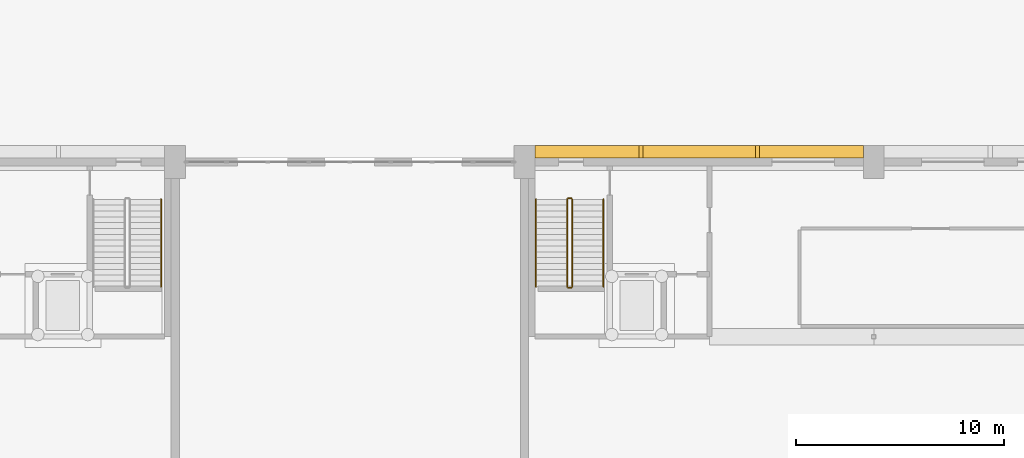
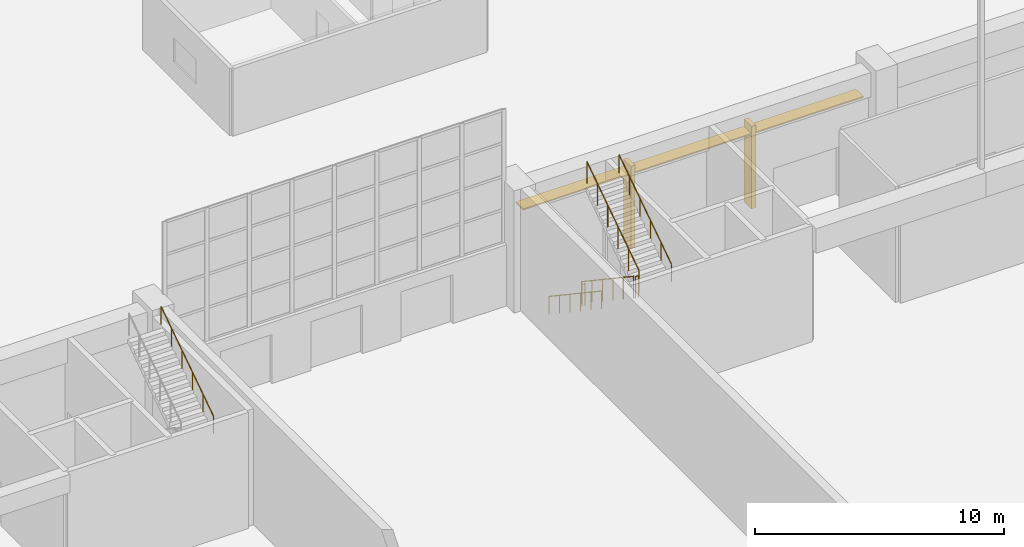
# One storey, part 203 of 210: 7 railings, 3 shading devices, 2 coverings.
"""IFC4 building model written with IfcOpenShell, lengths in metres."""

from ifc_helpers import new_model, si_unit, direction, frame, origin, origin_2d, place, context, subcontext, project, spatial, rectangle, circle, extrude, material, layer, layer_set, type_object, element, save


model = new_model("IFC4")

# Units and contexts
model_context = context("Model", 3, precision=1e-05, world=origin(), true_north=direction((0.0, 1.0)))
body_context = subcontext(model_context, "Body", "Model", "MODEL_VIEW")
ifc_project = project(units=[si_unit("LENGTHUNIT", "METRE"), si_unit("AREAUNIT", "SQUARE_METRE"), si_unit("VOLUMEUNIT", "CUBIC_METRE"), si_unit("PLANEANGLEUNIT", "RADIAN"), si_unit("MASSUNIT", "GRAM", prefix="KILO")], contexts=[model_context])

# Site, building, storey
site_placement = place(None, origin())
site = spatial("IfcSite", under=ifc_project, at=site_placement, CompositionType="ELEMENT")
building_placement = place(site_placement, origin())
building = spatial("IfcBuilding", under=site, at=building_placement, Name="Rain Tree Exposition and Congress Centre", CompositionType="ELEMENT")
storey_placement = place(building_placement, origin())
storey = spatial("IfcBuildingStorey", under=building, at=storey_placement, Name="L00", CompositionType="ELEMENT", Elevation=0.0)

# Coverings
ifc_material_1 = material(Name="Precast concrete C50/60", Category="concrete")
ifc_layer_1 = layer(ifc_material_1, 0.199951171875)
ifc_layer_set_1 = layer_set([ifc_layer_1], Name="Precast concrete C50/60")
covering_type = type_object("IfcCoveringType", Name="North face fin 200x600", PredefinedType="CLADDING", material=ifc_layer_set_1)
for number, where, z_axis, x_axis, name in (
    (1, (148.39990234375, 202.10009765625, 0.4501953125), (0.0, 0.0, 1.0), (1.0, 0.0, 0.0), "Facade fin N1.1"),
    (2, (154.0, 202.10009765625, 0.4501953125), (0.0, 0.0, 1.0), (1.0, 0.0, 0.0), "Facade fin N1.2"),
):
    element("IfcCovering", number, at=place(storey_placement, frame(where, z_axis=z_axis, x_axis=x_axis)), inside=storey, type_object=covering_type, Name=name, PredefinedType="CLADDING", context=body_context, shape_type="SweptSolid", body=[
        extrude(rectangle(XDim=0.199951171875, YDim=0.60009765625, at=origin_2d()), origin(), (0.0, 0.0, 1.0), 4.050048828125),
    ])

# Railings
ifc_material_2 = material(Name="Steel S355J2H", Category="steel")
railing_type_1 = type_object("IfcRailingType", Name="Stair guard 1100", PredefinedType="GUARDRAIL", material=ifc_material_2)
railing_1_placement = place(storey_placement, frame((144.85009765625, 199.800048828125, 0.1875)))
element("IfcRailing", 3, at=railing_1_placement, inside=storey, type_object=railing_type_1, Name="L00 ST-H7 stair guard 1", PredefinedType="GUARDRAIL", context=body_context, shape_type="SweptSolid", body=[
    extrude(circle(Radius=0.02392578125, at=origin_2d()), frame((0.0, 0.0, 1.076171875), z_axis=(0.0, -0.830904186295, 0.556415522067), x_axis=(1.0, 0.0, 0.0)), (0.0, 0.0, 1.0), 5.0546875),
    extrude(circle(Radius=0.02099609375, at=origin_2d()), origin(), (0.0, 0.0, 1.0), 1.052001953125),
    extrude(circle(Radius=0.02099609375, at=origin_2d()), frame((0.0, -0.840087890625, 0.5625)), (0.0, 0.0, 1.0), 1.052001953125),
    extrude(circle(Radius=0.02099609375, at=origin_2d()), frame((0.0, -1.679931640625, 1.125)), (0.0, 0.0, 1.0), 1.052001953125),
    extrude(circle(Radius=0.02099609375, at=origin_2d()), frame((0.0, -2.52001953125, 1.6875)), (0.0, 0.0, 1.0), 1.052001953125),
    extrude(circle(Radius=0.02099609375, at=origin_2d()), frame((0.0, -3.35986328125, 2.25)), (0.0, 0.0, 1.0), 1.052001953125),
    extrude(circle(Radius=0.02099609375, at=origin_2d()), frame((0.0, -4.199951171875, 2.8125)), (0.0, 0.0, 1.0), 1.052001953125),
])
railing_2_placement = place(storey_placement, frame((144.89990234375, 195.550048828125, 3.0)))
element("IfcRailing", 4, at=railing_2_placement, inside=storey, type_object=railing_type_1, Name="L00 ST-H7 stair guard 2", PredefinedType="GUARDRAIL", context=body_context, shape_type="SweptSolid", body=[
    extrude(circle(Radius=0.02392578125, at=origin_2d()), frame((0.0, 0.0, 1.076171875), z_axis=(1.0, 0.0, 0.0), x_axis=(0.0, 1.0, 0.0)), (0.0, 0.0, 1.0), 0.150146484375),
    extrude(circle(Radius=0.02099609375, at=origin_2d()), origin(), (0.0, 0.0, 1.0), 1.052001953125),
    extrude(circle(Radius=0.02099609375, at=origin_2d()), frame((0.150146484375, 0.0, 0.0)), (0.0, 0.0, 1.0), 1.052001953125),
])
railing_3_placement = place(storey_placement, frame((145.10009765625, 195.60009765625, 3.1875)))
element("IfcRailing", 5, at=railing_3_placement, inside=storey, type_object=railing_type_1, Name="L00 ST-H7 stair guard 3", PredefinedType="GUARDRAIL", context=body_context, shape_type="SweptSolid", body=[
    extrude(circle(Radius=0.02392578125, at=origin_2d()), frame((0.0, 0.0, 1.076171875), z_axis=(0.0, 0.830904186295, 0.556415522067), x_axis=(-1.0, 0.0, 0.0)), (0.0, 0.0, 1.0), 5.0546875),
    extrude(circle(Radius=0.02099609375, at=origin_2d()), origin(), (0.0, 0.0, 1.0), 1.052001953125),
    extrude(circle(Radius=0.02099609375, at=origin_2d()), frame((0.0, 0.840087890625, 0.5625)), (0.0, 0.0, 1.0), 1.052001953125),
    extrude(circle(Radius=0.02099609375, at=origin_2d()), frame((0.0, 1.679931640625, 1.125)), (0.0, 0.0, 1.0), 1.052001953125),
    extrude(circle(Radius=0.02099609375, at=origin_2d()), frame((0.0, 2.52001953125, 1.6875)), (0.0, 0.0, 1.0), 1.052001953125),
    extrude(circle(Radius=0.02099609375, at=origin_2d()), frame((0.0, 3.35986328125, 2.25)), (0.0, 0.0, 1.0), 1.052001953125),
    extrude(circle(Radius=0.02099609375, at=origin_2d()), frame((0.0, 4.199951171875, 2.8125)), (0.0, 0.0, 1.0), 1.052001953125),
])
railing_4_placement = place(storey_placement, frame((144.89990234375, 199.85009765625, 0.0)))
element("IfcRailing", 6, at=railing_4_placement, inside=storey, type_object=railing_type_1, Name="L00 ST-H7 stair guard 4", PredefinedType="GUARDRAIL", context=body_context, shape_type="SweptSolid", body=[
    extrude(circle(Radius=0.02392578125, at=origin_2d()), frame((0.0, 0.0, 1.076171875), z_axis=(1.0, 0.0, 0.0), x_axis=(0.0, 1.0, 0.0)), (0.0, 0.0, 1.0), 0.150146484375),
    extrude(circle(Radius=0.02099609375, at=origin_2d()), origin(), (0.0, 0.0, 1.0), 1.052001953125),
    extrude(circle(Radius=0.02099609375, at=origin_2d()), frame((0.150146484375, 0.0, 0.0)), (0.0, 0.0, 1.0), 1.052001953125),
])
ifc_material_3 = material(Name="Steel S355J2H", Category="steel")
railing_type_2 = type_object("IfcRailingType", Name="Stair handrail 900", PredefinedType="HANDRAIL", material=ifc_material_3)
railing_5_placement = place(storey_placement, frame((125.324951171875, 195.60009765625, 3.1875)))
element("IfcRailing", 7, at=railing_5_placement, inside=storey, type_object=railing_type_2, Name="L00 ST-H4 stair handrail 2", PredefinedType="HANDRAIL", context=body_context, shape_type="SweptSolid", body=[
    extrude(circle(Radius=0.02392578125, at=origin_2d()), frame((0.0, 0.0, 0.8759765625), z_axis=(0.0, 0.830904186295, 0.556415522067), x_axis=(-1.0, 0.0, 0.0)), (0.0, 0.0, 1.0), 5.0546875),
    extrude(circle(Radius=0.02099609375, at=origin_2d()), origin(), (0.0, 0.0, 1.0), 0.851806640625),
    extrude(circle(Radius=0.02099609375, at=origin_2d()), frame((0.0, 0.840087890625, 0.5625)), (0.0, 0.0, 1.0), 0.851806640625),
    extrude(circle(Radius=0.02099609375, at=origin_2d()), frame((0.0, 1.679931640625, 1.125)), (0.0, 0.0, 1.0), 0.851806640625),
    extrude(circle(Radius=0.02099609375, at=origin_2d()), frame((0.0, 2.52001953125, 1.6875)), (0.0, 0.0, 1.0), 0.851806640625),
    extrude(circle(Radius=0.02099609375, at=origin_2d()), frame((0.0, 3.35986328125, 2.25)), (0.0, 0.0, 1.0), 0.851806640625),
    extrude(circle(Radius=0.02099609375, at=origin_2d()), frame((0.0, 4.199951171875, 2.8125)), (0.0, 0.0, 1.0), 0.851806640625),
])
railing_6_placement = place(storey_placement, frame((143.35009765625, 199.800048828125, 0.1875)))
element("IfcRailing", 8, at=railing_6_placement, inside=storey, type_object=railing_type_2, Name="L00 ST-H7 stair handrail 1", PredefinedType="HANDRAIL", context=body_context, shape_type="SweptSolid", body=[
    extrude(circle(Radius=0.02392578125, at=origin_2d()), frame((0.0, 0.0, 0.8759765625), z_axis=(0.0, -0.830904186295, 0.556415522067), x_axis=(1.0, 0.0, 0.0)), (0.0, 0.0, 1.0), 5.0546875),
    extrude(circle(Radius=0.02099609375, at=origin_2d()), origin(), (0.0, 0.0, 1.0), 0.851806640625),
    extrude(circle(Radius=0.02099609375, at=origin_2d()), frame((0.0, -0.840087890625, 0.5625)), (0.0, 0.0, 1.0), 0.851806640625),
    extrude(circle(Radius=0.02099609375, at=origin_2d()), frame((0.0, -1.679931640625, 1.125)), (0.0, 0.0, 1.0), 0.851806640625),
    extrude(circle(Radius=0.02099609375, at=origin_2d()), frame((0.0, -2.52001953125, 1.6875)), (0.0, 0.0, 1.0), 0.851806640625),
    extrude(circle(Radius=0.02099609375, at=origin_2d()), frame((0.0, -3.35986328125, 2.25)), (0.0, 0.0, 1.0), 0.851806640625),
    extrude(circle(Radius=0.02099609375, at=origin_2d()), frame((0.0, -4.199951171875, 2.8125)), (0.0, 0.0, 1.0), 0.851806640625),
])
railing_7_placement = place(storey_placement, frame((146.60009765625, 195.60009765625, 3.1875)))
element("IfcRailing", 9, at=railing_7_placement, inside=storey, type_object=railing_type_2, Name="L00 ST-H7 stair handrail 2", PredefinedType="HANDRAIL", context=body_context, shape_type="SweptSolid", body=[
    extrude(circle(Radius=0.02392578125, at=origin_2d()), frame((0.0, 0.0, 0.8759765625), z_axis=(0.0, 0.830904186295, 0.556415522067), x_axis=(-1.0, 0.0, 0.0)), (0.0, 0.0, 1.0), 5.0546875),
    extrude(circle(Radius=0.02099609375, at=origin_2d()), origin(), (0.0, 0.0, 1.0), 0.851806640625),
    extrude(circle(Radius=0.02099609375, at=origin_2d()), frame((0.0, 0.840087890625, 0.5625)), (0.0, 0.0, 1.0), 0.851806640625),
    extrude(circle(Radius=0.02099609375, at=origin_2d()), frame((0.0, 1.679931640625, 1.125)), (0.0, 0.0, 1.0), 0.851806640625),
    extrude(circle(Radius=0.02099609375, at=origin_2d()), frame((0.0, 2.52001953125, 1.6875)), (0.0, 0.0, 1.0), 0.851806640625),
    extrude(circle(Radius=0.02099609375, at=origin_2d()), frame((0.0, 3.35986328125, 2.25)), (0.0, 0.0, 1.0), 0.851806640625),
    extrude(circle(Radius=0.02099609375, at=origin_2d()), frame((0.0, 4.199951171875, 2.8125)), (0.0, 0.0, 1.0), 0.851806640625),
])

# Shading devices
ifc_material_4 = material(Name="Aluminium", Category="aluminium")
ifc_layer_2 = layer(ifc_material_4, 0.06005859375)
ifc_layer_set_2 = layer_set([ifc_layer_2], Name="Aluminium")
shading_device_type = type_object("IfcShadingDeviceType", Name="Sun blade 60x600", PredefinedType="JALOUSIE", material=ifc_layer_set_2)
shading_device_1_placement = place(storey_placement, frame((145.800048828125, 202.10009765625, 4.099853515625), z_axis=(0.0, 0.0, 1.0), x_axis=(1.0, 0.0, 0.0)))
element("IfcShadingDevice", 10, at=shading_device_1_placement, inside=storey, type_object=shading_device_type, Name="Sun blade N1.1.1", PredefinedType="JALOUSIE", context=body_context, shape_type="SweptSolid", body=[
    extrude(rectangle(XDim=5.0, YDim=0.60009765625, at=origin_2d()), origin(), (0.0, 0.0, 1.0), 0.06005859375),
])
shading_device_2_placement = place(storey_placement, frame((151.199951171875, 202.10009765625, 4.099853515625), z_axis=(0.0, 0.0, 1.0), x_axis=(1.0, 0.0, 0.0)))
element("IfcShadingDevice", 11, at=shading_device_2_placement, inside=storey, type_object=shading_device_type, Name="Sun blade N1.2.1", PredefinedType="JALOUSIE", context=body_context, shape_type="SweptSolid", body=[
    extrude(rectangle(XDim=5.39990234375, YDim=0.60009765625, at=origin_2d()), origin(), (0.0, 0.0, 1.0), 0.06005859375),
])
shading_device_3_placement = place(storey_placement, frame((156.60009765625, 202.10009765625, 4.099853515625), z_axis=(0.0, 0.0, 1.0), x_axis=(1.0, 0.0, 0.0)))
element("IfcShadingDevice", 12, at=shading_device_3_placement, inside=storey, type_object=shading_device_type, Name="Sun blade N1.3.1", PredefinedType="JALOUSIE", context=body_context, shape_type="SweptSolid", body=[
    extrude(rectangle(XDim=5.0, YDim=0.60009765625, at=origin_2d()), origin(), (0.0, 0.0, 1.0), 0.06005859375),
])

save(model, "model.ifc")
